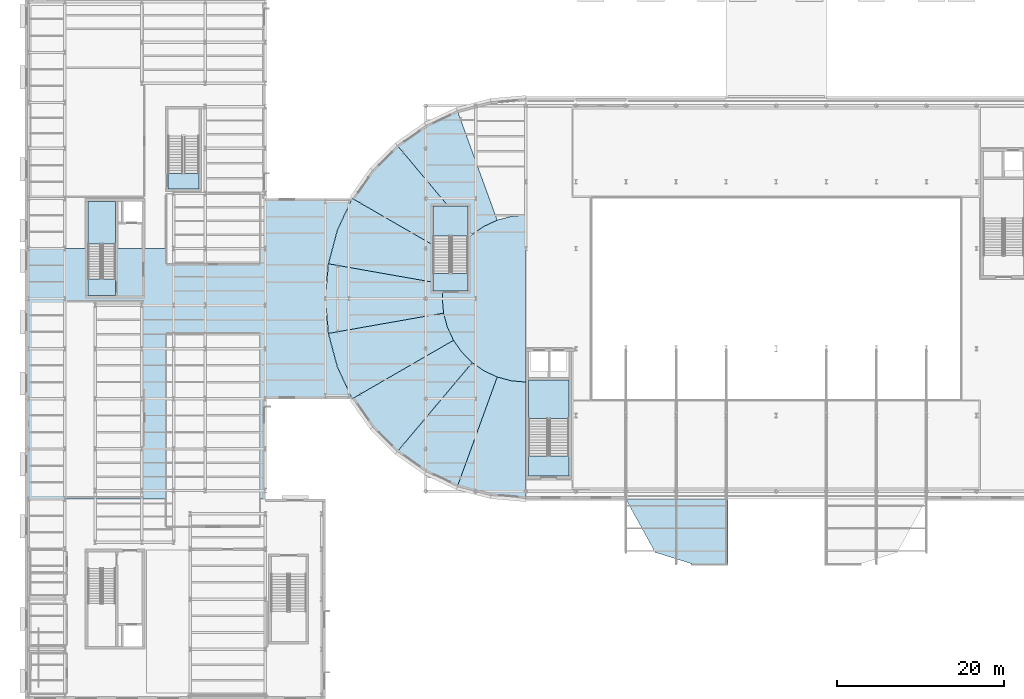
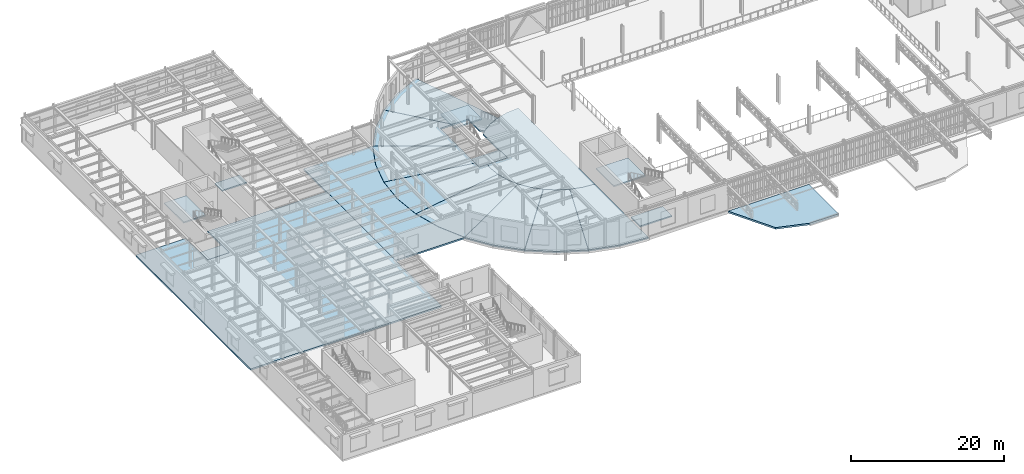
# One storey, part 48 of 91: 19 slabs, 3 elements without a shape of their own.
"""IFC4 building model written with IfcOpenShell, lengths in metres."""

from ifc_helpers import new_model, si_unit, direction, frame, origin, place, context, subcontext, project, spatial, polyline, outline, extrude, material, layer, layer_set, type_object, element, aggregate, save


model = new_model("IFC4")

# Units and contexts
model_context = context("Model", 3, precision=1e-05, world=origin(), true_north=direction((0.0, 1.0)))
body_context = subcontext(model_context, "Body", "Model", "MODEL_VIEW")
ifc_project = project(units=[si_unit("LENGTHUNIT", "METRE"), si_unit("AREAUNIT", "SQUARE_METRE"), si_unit("VOLUMEUNIT", "CUBIC_METRE"), si_unit("PLANEANGLEUNIT", "RADIAN"), si_unit("MASSUNIT", "GRAM", prefix="KILO")], contexts=[model_context])

# Site, building, storey
site_placement = place(None, origin())
site = spatial("IfcSite", under=ifc_project, at=site_placement, CompositionType="ELEMENT")
building_placement = place(site_placement, origin())
building = spatial("IfcBuilding", under=site, at=building_placement, Name="Kolvaren Corner Interchange", CompositionType="ELEMENT")
storey_placement = place(building_placement, frame((0.0, 0.0, 6.0)))
storey = spatial("IfcBuildingStorey", under=building, at=storey_placement, Name="L02", CompositionType="ELEMENT", Elevation=6.0)

# Slabs
ifc_material_1 = material(Name="White Glazed Terracotta Concrete C35/45", Category="masonry")
ifc_layer_1 = layer(ifc_material_1, 0.280029296875)
ifc_layer_set_1 = layer_set([ifc_layer_1], Name="White Glazed Terracotta Concrete C35/45")
slab_type_1 = type_object("IfcSlabType", Name="SL-BAND-280", PredefinedType="ROOF", material=ifc_layer_set_1)
slab_1_placement = place(storey_placement, frame((0.0, 0.0, -0.280029296875)))
element("IfcSlab", 1, at=slab_1_placement, inside=storey, type_object=slab_type_1, Name="South Entrance Portal Level 02 West Parted Cantilever Band Slab", PredefinedType="ROOF", context=body_context, shape_type="SweptSolid", body=[
    extrude(outline(polyline([(84.199951171875, 23.9599609375), (72.0, 23.9599609375), (75.5, 17.60009765625), (80.0, 16.199951171875), (84.199951171875, 16.199951171875), (84.199951171875, 23.9599609375)])), origin(), (0.0, 0.0, 1.0), 0.280029296875),
])
ifc_material_2 = material(Name="Concrete C35/45", Category="concrete")
ifc_layer_2 = layer(ifc_material_2, 0.25)
ifc_layer_set_2 = layer_set([ifc_layer_2], Name="Concrete C35/45")
slab_type_2 = type_object("IfcSlabType", Name="SL-COMP-250", PredefinedType="FLOOR", material=ifc_layer_set_2)
slab_2_placement = place(storey_placement, frame((0.0, 0.0, -0.25)))
element("IfcSlab", 2, at=slab_2_placement, inside=storey, type_object=slab_type_2, Name="Level 02 Operations Central West Floor Slab", PredefinedType="FLOOR", context=body_context, shape_type="SweptSolid", body=[
    extrude(outline(polyline([(7.550048828125, 54.0), (0.0, 54.0), (0.0, 24.0), (28.800048828125, 24.0), (28.800048828125, 54.0), (10.85009765625, 54.0), (10.85009765625, 48.35009765625), (7.550048828125, 48.35009765625), (7.550048828125, 54.0)])), origin(), (0.0, 0.0, 1.0), 0.25),
])
slab_3_placement = place(storey_placement, frame((0.0, 0.0, -0.25)))
element("IfcSlab", 3, at=slab_3_placement, inside=storey, type_object=slab_type_2, Name="Level 02 Concourse Mezzanine Bridge Slab", PredefinedType="FLOOR", context=body_context, shape_type="SweptSolid", body=[
    extrude(outline(polyline([(28.800048828125, 36.0), (39.193359375, 36.0), (37.4287109375, 39.78466796875), (36.344970703125, 43.8291015625), (35.97998046875, 48.0), (36.344970703125, 52.1708984375), (37.4287109375, 56.21533203125), (39.193359375, 60.0), (28.800048828125, 60.0), (28.800048828125, 36.0)])), origin(), (0.0, 0.0, 1.0), 0.25),
])
slab_4_placement = place(storey_placement, frame((0.0, 0.0, -0.25)))
element("IfcSlab", 4, at=slab_4_placement, inside=storey, type_object=slab_type_2, Name="Level 02 Racetrack West Inner Gallery Slab", PredefinedType="FLOOR", context=body_context, shape_type="SweptSolid", body=[
    extrude(outline(polyline([(56.579833984375, 38.60302734375), (58.263427734375, 38.15185546875), (60.0, 38.0), (60.0, 58.0), (58.263427734375, 57.84814453125), (56.579833984375, 57.39697265625), (55.0, 56.660400390625), (53.572021484375, 55.660400390625), (53.10009765625, 55.188232421875), (53.10009765625, 48.89990234375), (50.07861328125, 48.89990234375), (50.0, 48.0), (50.15185546875, 46.263427734375), (50.60302734375, 44.579833984375), (51.339599609375, 43.0), (52.339599609375, 41.572021484375), (53.572021484375, 40.339599609375), (55.0, 39.339599609375), (56.579833984375, 38.60302734375)])), origin(), (0.0, 0.0, 1.0), 0.25),
])
slab_5_placement = place(storey_placement, frame((0.0, 0.0, -0.25)))
element("IfcSlab", 5, at=slab_5_placement, inside=storey, type_object=slab_type_2, Name="Level 02 Racetrack West Gallery Radial Slab 02", PredefinedType="FLOOR", context=body_context, shape_type="SweptSolid", body=[
    extrude(outline(polyline([(48.0, 68.784423828125), (44.60888671875, 66.41015625), (44.592041015625, 66.372802734375), (50.679443359375, 59.10888671875), (53.10009765625, 59.10009765625), (53.10009765625, 56.233642578125), (53.548583984375, 55.6884765625), (55.0, 56.660400390625), (56.546630859375, 57.38134765625), (56.569091796875, 57.423583984375), (51.806396484375, 70.51171875), (48.0, 68.784423828125)])), origin(), (0.0, 0.0, 1.0), 0.25),
])
slab_6_placement = place(storey_placement, frame((0.0, 0.0, -0.25)))
element("IfcSlab", 6, at=slab_6_placement, inside=storey, type_object=slab_type_2, Name="Level 02 Racetrack West Gallery Radial Slab 03", PredefinedType="FLOOR", context=body_context, shape_type="SweptSolid", body=[
    extrude(outline(polyline([(50.68603515625, 59.10009765625), (44.572998046875, 66.385009765625), (41.614990234375, 63.427001953125), (39.21533203125, 60.0), (48.89990234375, 54.40869140625), (48.89990234375, 59.10009765625), (50.68603515625, 59.10009765625)])), origin(), (0.0, 0.0, 1.0), 0.25),
])
slab_7_placement = place(storey_placement, frame((0.0, 0.0, -0.25)))
element("IfcSlab", 7, at=slab_7_placement, inside=storey, type_object=slab_type_2, Name="Level 02 Racetrack West Gallery Radial Slab 04", PredefinedType="FLOOR", context=body_context, shape_type="SweptSolid", body=[
    extrude(outline(polyline([(36.364501953125, 52.16748046875), (48.89990234375, 49.957275390625), (48.89990234375, 54.40869140625), (39.21533203125, 60.0), (37.447509765625, 56.20849609375), (36.364501953125, 52.16748046875)])), origin(), (0.0, 0.0, 1.0), 0.25),
])
slab_8_placement = place(storey_placement, frame((0.0, 0.0, -0.25)))
element("IfcSlab", 8, at=slab_8_placement, inside=storey, type_object=slab_type_2, Name="Level 02 Racetrack West Gallery Radial Slab 05", PredefinedType="FLOOR", context=body_context, shape_type="SweptSolid", body=[
    extrude(outline(polyline([(36.364501953125, 43.83251953125), (50.15185546875, 46.263427734375), (50.0, 48.0), (50.07861328125, 48.89990234375), (48.89990234375, 48.89990234375), (48.89990234375, 49.957275390625), (36.364501953125, 52.16748046875), (36.0, 48.0), (36.364501953125, 43.83251953125)])), origin(), (0.0, 0.0, 1.0), 0.25),
])
slab_9_placement = place(storey_placement, frame((0.0, 0.0, -0.25)))
element("IfcSlab", 9, at=slab_9_placement, inside=storey, type_object=slab_type_2, Name="Level 02 Racetrack West Gallery Radial Slab 06", PredefinedType="FLOOR", context=body_context, shape_type="SweptSolid", body=[
    extrude(outline(polyline([(50.602783203125, 44.58056640625), (50.161376953125, 46.22802734375), (50.11962890625, 46.257568359375), (36.389892578125, 43.83203125), (36.3759765625, 43.790283203125), (37.447509765625, 39.79150390625), (39.200927734375, 36.032958984375), (39.253173828125, 36.021728515625), (51.311279296875, 42.98388671875), (51.32421875, 43.033203125), (50.602783203125, 44.58056640625)])), origin(), (0.0, 0.0, 1.0), 0.25),
])
slab_10_placement = place(storey_placement, frame((0.0, 0.0, -0.25)))
element("IfcSlab", 10, at=slab_10_placement, inside=storey, type_object=slab_type_2, Name="Level 02 Racetrack West Gallery Radial Slab 07", PredefinedType="FLOOR", context=body_context, shape_type="SweptSolid", body=[
    extrude(outline(polyline([(39.240478515625, 35.964111328125), (41.614990234375, 32.5732421875), (44.542236328125, 29.645751953125), (44.581787109375, 29.6357421875), (53.548583984375, 40.3115234375), (52.339599609375, 41.572021484375), (51.360595703125, 42.969970703125), (51.315185546875, 42.98486328125), (39.253173828125, 36.021728515625), (39.240478515625, 35.964111328125)])), origin(), (0.0, 0.0, 1.0), 0.25),
])
slab_11_placement = place(storey_placement, frame((0.0, 0.0, -0.25)))
element("IfcSlab", 11, at=slab_11_placement, inside=storey, type_object=slab_type_2, Name="Level 02 Racetrack West Gallery Radial Slab 08", PredefinedType="FLOOR", context=body_context, shape_type="SweptSolid", body=[
    extrude(outline(polyline([(44.592041015625, 29.627197265625), (44.60888671875, 29.58984375), (48.0, 27.215576171875), (51.76318359375, 25.46240234375), (51.806396484375, 25.48828125), (56.569091796875, 38.576416015625), (56.546630859375, 38.61865234375), (55.0, 39.339599609375), (53.602294921875, 40.318603515625), (44.592041015625, 29.627197265625)])), origin(), (0.0, 0.0, 1.0), 0.25),
])
slab_12_placement = place(storey_placement, frame((0.0, 0.0, -0.25)))
element("IfcSlab", 12, at=slab_12_placement, inside=storey, type_object=slab_type_2, Name="Level 02 Racetrack West Gallery Radial Slab 09", PredefinedType="FLOOR", context=body_context, shape_type="SweptSolid", body=[
    extrude(outline(polyline([(56.579833984375, 38.60302734375), (51.79150390625, 25.447509765625), (55.83251953125, 24.364501953125), (60.0, 24.0), (60.0, 38.0), (58.263427734375, 38.15185546875), (56.579833984375, 38.60302734375)])), origin(), (0.0, 0.0, 1.0), 0.25),
])
ifc_material_3 = material(Name="Concrete C35/45", Category="concrete")
ifc_layer_3 = layer(ifc_material_3, 0.199951171875)
ifc_layer_set_3 = layer_set([ifc_layer_3], Name="Concrete C35/45")
slab_type_3 = type_object("IfcSlabType", Name="SL-STAIR-LAND200", PredefinedType="LANDING", material=ifc_layer_set_3)
slab_13_placement = place(storey_placement, frame((0.0, 0.0, -0.199951171875)))
element("IfcSlab", 13, at=slab_13_placement, inside=storey, type_object=slab_type_3, Name="Core C2 Northwest Firefighting Stair L02 Floor Arrival Landing Slab", PredefinedType="LANDING", context=body_context, shape_type="SweptSolid", body=[
    extrude(outline(polyline([(10.85009765625, 48.35009765625), (10.85009765625, 50.35009765625), (7.550048828125, 50.35009765625), (7.550048828125, 48.35009765625), (10.85009765625, 48.35009765625)])), origin(), (0.0, 0.0, 1.0), 0.199951171875),
])

# Stair, slab
ifc_material_4 = material(Name="Concrete C35/45", Category="concrete")
stair_type_1 = type_object("IfcStairType", Name="ST-FF-1550", PredefinedType="HALF_TURN_STAIR", material=ifc_material_4)
stair_1_placement = place(storey_placement, origin())
stair_1 = element("IfcStair", 14, at=stair_1_placement, inside=storey, type_object=stair_type_1, Name="Core C2 Northwest Firefighting Stair L02 to L03 Stair", PredefinedType="HALF_TURN_STAIR")
slab_14_placement = place(storey_placement, frame((0.0, 0.0, 2.050048828125)))
slab_14 = element("IfcSlab", 15, at=slab_14_placement, type_object=slab_type_3, Name="Core C2 Northwest Firefighting Stair L02 Intermediate Half Landing Slab", PredefinedType="LANDING", context=body_context, shape_type="SweptSolid", body=[
    extrude(outline(polyline([(10.85009765625, 54.550048828125), (10.85009765625, 59.64990234375), (7.550048828125, 59.64990234375), (7.550048828125, 54.550048828125), (10.85009765625, 54.550048828125)])), origin(), (0.0, 0.0, 1.0), 0.199951171875),
])
aggregate(stair_1, [slab_14])

# Slab
slab_15_placement = place(storey_placement, frame((0.0, 0.0, -0.199951171875)))
element("IfcSlab", 16, at=slab_15_placement, inside=storey, type_object=slab_type_3, Name="Core C3 West Concourse Transfer Stair L02 Floor Arrival Landing Slab", PredefinedType="LANDING", context=body_context, shape_type="SweptSolid", body=[
    extrude(outline(polyline([(65.14990234375, 26.75), (65.14990234375, 29.14990234375), (60.35009765625, 29.14990234375), (60.35009765625, 26.75), (65.14990234375, 26.75)])), origin(), (0.0, 0.0, 1.0), 0.199951171875),
])

# Stair, slab
ifc_material_5 = material(Name="Concrete C35/45", Category="concrete")
stair_type_2 = type_object("IfcStairType", Name="ST-TR-2300", PredefinedType="HALF_TURN_STAIR", material=ifc_material_5)
stair_2_placement = place(storey_placement, origin())
stair_2 = element("IfcStair", 17, at=stair_2_placement, inside=storey, type_object=stair_type_2, Name="Core C3 West Concourse Transfer Stair L02 to L03 Stair", PredefinedType="HALF_TURN_STAIR")
slab_16_placement = place(storey_placement, frame((0.0, 0.0, 2.050048828125)))
slab_16 = element("IfcSlab", 18, at=slab_16_placement, type_object=slab_type_3, Name="Core C3 West Concourse Transfer Stair L02 Intermediate Half Landing Slab", PredefinedType="LANDING", context=body_context, shape_type="SweptSolid", body=[
    extrude(outline(polyline([(65.14990234375, 33.6298828125), (65.14990234375, 38.25), (60.35009765625, 38.25), (60.35009765625, 33.6298828125), (65.14990234375, 33.6298828125)])), origin(), (0.0, 0.0, 1.0), 0.199951171875),
])
aggregate(stair_2, [slab_16])

# Slab
slab_17_placement = place(storey_placement, frame((0.0, 0.0, -0.199951171875)))
element("IfcSlab", 19, at=slab_17_placement, inside=storey, type_object=slab_type_3, Name="West Racetrack Concourse Gallery Stair L02 Floor Arrival Landing Slab", PredefinedType="LANDING", context=body_context, shape_type="SweptSolid", body=[
    extrude(outline(polyline([(53.10009765625, 48.89990234375), (53.10009765625, 51.0), (48.89990234375, 51.0), (48.89990234375, 48.89990234375), (53.10009765625, 48.89990234375)])), origin(), (0.0, 0.0, 1.0), 0.199951171875),
])

# Stair, slab
ifc_material_6 = material(Name="Concrete C35/45", Category="concrete")
stair_type_3 = type_object("IfcStairType", Name="ST-GL-2000", PredefinedType="HALF_TURN_STAIR", material=ifc_material_6)
stair_3_placement = place(storey_placement, origin())
stair_3 = element("IfcStair", 20, at=stair_3_placement, inside=storey, type_object=stair_type_3, Name="West Racetrack Concourse Gallery Stair L02 to L03 Stair", PredefinedType="HALF_TURN_STAIR")
slab_18_placement = place(storey_placement, frame((0.0, 0.0, 2.050048828125)))
slab_18 = element("IfcSlab", 21, at=slab_18_placement, type_object=slab_type_3, Name="West Racetrack Concourse Gallery Stair L02 Intermediate Half Landing Slab", PredefinedType="LANDING", context=body_context, shape_type="SweptSolid", body=[
    extrude(outline(polyline([(53.10009765625, 55.47998046875), (53.10009765625, 59.10009765625), (48.89990234375, 59.10009765625), (48.89990234375, 55.47998046875), (53.10009765625, 55.47998046875)])), origin(), (0.0, 0.0, 1.0), 0.199951171875),
])
aggregate(stair_3, [slab_18])

# Slab
slab_19_placement = place(storey_placement, frame((0.0, 0.0, -0.199951171875)))
element("IfcSlab", 22, at=slab_19_placement, inside=storey, type_object=slab_type_3, Name="Operations North Wing Protected Exit Stair L02 Floor Arrival Landing Slab", PredefinedType="LANDING", context=body_context, shape_type="SweptSolid", body=[
    extrude(outline(polyline([(20.85009765625, 61.10009765625), (20.85009765625, 63.0), (17.14990234375, 63.0), (17.14990234375, 61.10009765625), (20.85009765625, 61.10009765625)])), origin(), (0.0, 0.0, 1.0), 0.199951171875),
])

save(model, "model.ifc")
